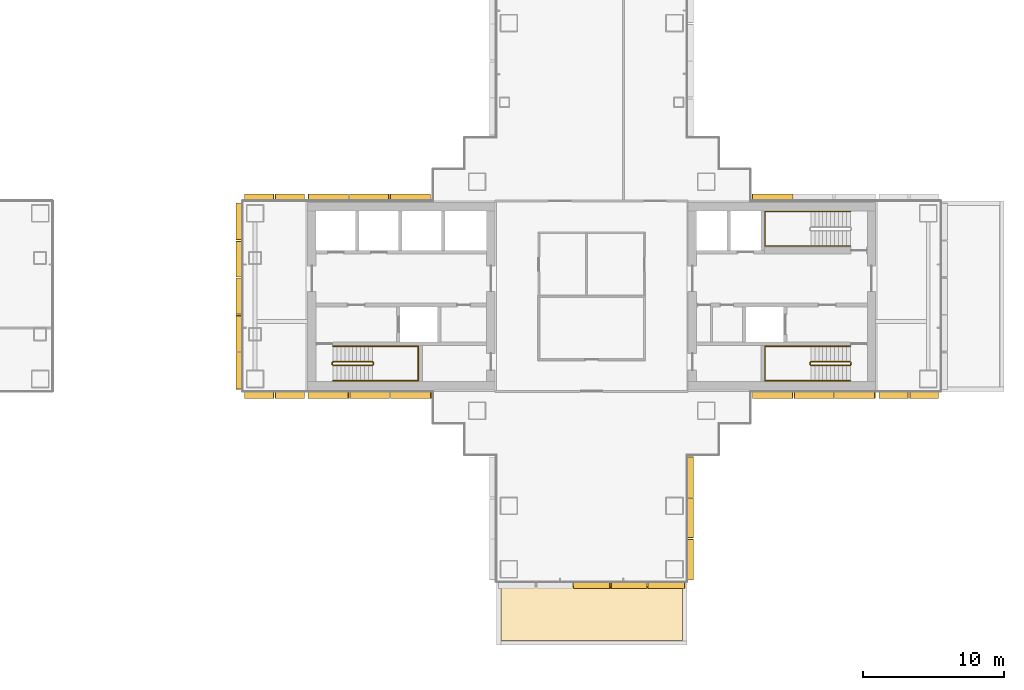
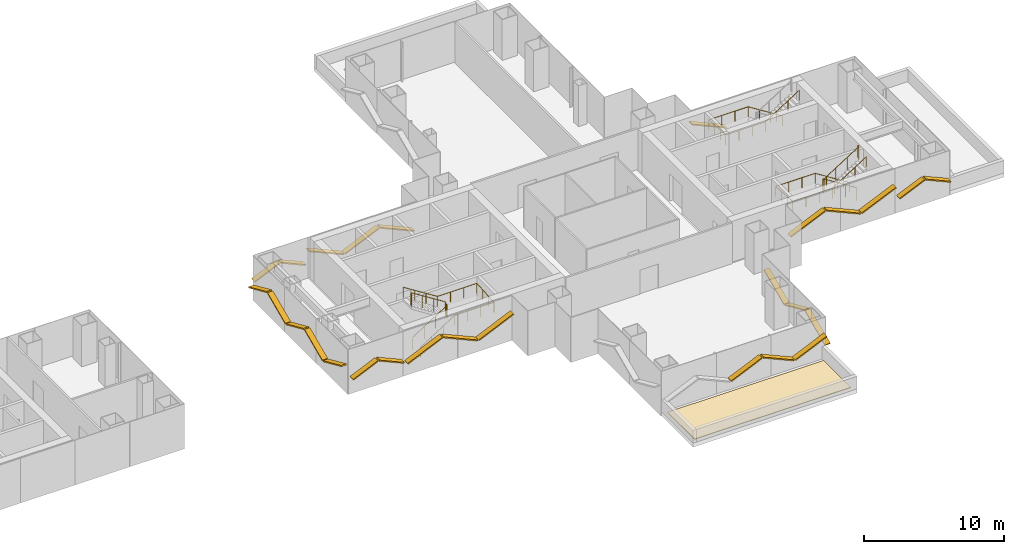
# One storey, part 18 of 20: 27 shading devices, 5 railings, 1 covering.
"""IFC4 building model written with IfcOpenShell, lengths in metres."""

import ifcopenshell
import ifcopenshell.guid

model = None  # the IFC model being written
_history = None  # IfcOwnerHistory: only IFC2X3 demands one
_inside = {}  # id of a spatial element -> (the spatial element, [elements in it])
_under = {}  # id of a project, library or spatial element -> (it, [spatial elements below it])
_declared = {}  # id of a project -> (the project, [libraries it declares])
_typed = {}  # id of a type object -> (the type object, [elements of that type])
_made_of = {}  # id of a material, layer set ... -> (it, [elements and type objects made of it])


def new_model(schema):
    """Start an empty IFC model of exactly this schema.

    Asked for "IFC4X3", IfcOpenShell would pick the latest addendum, in which some entities
    have other attributes; the version numbers below select the first issue.
    IFC2X3 requires an IfcOwnerHistory on every rooted entity: one is made here for all.
    """
    global model, _history
    if schema == "IFC4X3":
        model = ifcopenshell.file(schema_version=(4, 3, 0, 0))
    else:
        model = ifcopenshell.file(schema=schema)
    _inside.clear()
    _under.clear()
    _declared.clear()
    _typed.clear()
    _made_of.clear()
    _history = None
    if model.schema == "IFC2X3":
        org = make("IfcOrganization", Name="unknown")
        user = make(
            "IfcPersonAndOrganization",
            ThePerson=make("IfcPerson", FamilyName="unknown"),
            TheOrganization=org,
        )
        app = make(
            "IfcApplication",
            ApplicationDeveloper=org,
            Version="unknown",
            ApplicationFullName="unknown",
            ApplicationIdentifier="unknown",
        )
        _history = make(
            "IfcOwnerHistory",
            OwningUser=user,
            OwningApplication=app,
            ChangeAction="ADDED",
            CreationDate=0,
        )
    return model


def make(cls, **values):
    """One entity of the class cls with the attributes given. An attribute that is None is left unset."""
    return model.create_entity(
        cls, **{name: value for name, value in values.items() if value is not None}
    )


def rooted(cls, **values):
    """An entity with a GlobalId (a new one), such as an element, a storey or a relation."""
    return make(cls, GlobalId=ifcopenshell.guid.new(), OwnerHistory=_history, **values)


def si_unit(unit_type, name, prefix=None):
    """IfcSIUnit, for example si_unit("LENGTHUNIT", "METRE", prefix="MILLI")."""
    return make("IfcSIUnit", UnitType=unit_type, Prefix=prefix, Name=name)


def assignment(units):
    """IfcUnitAssignment: the units of a project."""
    return None if units is None else make("IfcUnitAssignment", Units=units)


def point(xyz):
    """IfcCartesianPoint."""
    return None if xyz is None else make("IfcCartesianPoint", Coordinates=xyz)


def direction(xyz):
    """IfcDirection."""
    return None if xyz is None else make("IfcDirection", DirectionRatios=xyz)


def frame(location, z_axis=None, x_axis=None):
    """IfcAxis2Placement3D, a coordinate frame: its origin and axes. An axis left out is left unset."""
    return make(
        "IfcAxis2Placement3D",
        Location=point(location),
        Axis=direction(z_axis),
        RefDirection=direction(x_axis),
    )


def frame_2d(location, x_axis=None):
    """IfcAxis2Placement2D, a coordinate frame in the plane: its origin and x axis."""
    return make(
        "IfcAxis2Placement2D", Location=point(location), RefDirection=direction(x_axis)
    )


def origin():
    """The frame at (0, 0, 0) with its axes left unset."""
    return frame((0.0, 0.0, 0.0))


def origin_2d():
    """The frame at (0, 0) in the plane with its x axis left unset."""
    return frame_2d((0.0, 0.0))


def place(relative_to, where):
    """IfcLocalPlacement: puts the frame where relative to a parent placement (None: the world)."""
    return make(
        "IfcLocalPlacement", PlacementRelTo=relative_to, RelativePlacement=where
    )


def context(
    kind, dimensions, precision=None, world=None, true_north=None, identifier=None
):
    """IfcGeometricRepresentationContext, for example the 3D "Model" context."""
    return make(
        "IfcGeometricRepresentationContext",
        ContextIdentifier=identifier,
        ContextType=kind,
        CoordinateSpaceDimension=dimensions,
        Precision=precision,
        WorldCoordinateSystem=world,
        TrueNorth=true_north,
    )


def subcontext(parent, identifier, kind, view, scale=None):
    """IfcGeometricRepresentationSubContext, for example "Body" below "Model"."""
    return make(
        "IfcGeometricRepresentationSubContext",
        ContextIdentifier=identifier,
        ContextType=kind,
        ParentContext=parent,
        TargetScale=scale,
        TargetView=view,
    )


def project(units=None, contexts=None):
    """IfcProject with its units and contexts."""
    return rooted(
        "IfcProject",
        Name="project",
        RepresentationContexts=contexts,
        UnitsInContext=assignment(units),
    )


def spatial(cls, under=None, at=None, **own):
    """A site, building, storey or space (cls), placed at a placement, below another one or the project."""
    s = rooted(cls, ObjectPlacement=at, **own)
    if under is not None:
        _under.setdefault(under.id(), (under, []))[1].append(s)
    return s


def polyline(points):
    """IfcPolyline through the points."""
    return make("IfcPolyline", Points=[point(p) for p in points])


def profile(cls, at=None, kind="AREA", **sizes):
    """A parametric profile (cls). Its sizes go by their IFC names, for example OverallWidth=200.0."""
    return make(cls, ProfileType=kind, Position=at, **sizes)


def rectangle(**sizes):
    """IfcRectangleProfileDef."""
    return profile("IfcRectangleProfileDef", **sizes)


def circle(**sizes):
    """IfcCircleProfileDef."""
    return profile("IfcCircleProfileDef", **sizes)


def outline(outer, holes=None, kind="AREA"):
    """IfcArbitraryClosedProfileDef: a profile drawn as a closed curve; with holes, ...WithVoids."""
    if holes is None:
        return make("IfcArbitraryClosedProfileDef", ProfileType=kind, OuterCurve=outer)
    return make(
        "IfcArbitraryProfileDefWithVoids",
        ProfileType=kind,
        OuterCurve=outer,
        InnerCurves=holes,
    )


def extrude(swept, where, along, depth):
    """IfcExtrudedAreaSolid: the profile swept, set in the frame where, extruded along a direction by depth."""
    return make(
        "IfcExtrudedAreaSolid",
        SweptArea=swept,
        Position=where,
        ExtrudedDirection=direction(along),
        Depth=depth,
    )


def shape(context_of_items, identifier, shape_type, items):
    """IfcShapeRepresentation: the items that make up one representation, for example the "Body"."""
    return make(
        "IfcShapeRepresentation",
        ContextOfItems=context_of_items,
        RepresentationIdentifier=identifier,
        RepresentationType=shape_type,
        Items=items,
    )


def material(Name=None, Category=None):
    """IfcMaterial."""
    return make("IfcMaterial", Name=Name, Category=Category)


def layer(
    of_material, thickness, ventilated=None, Name=None, Category=None, Priority=None
):
    """IfcMaterialLayer: one layer of a wall or slab, of a material (None: an air gap)."""
    return make(
        "IfcMaterialLayer",
        Material=of_material,
        LayerThickness=thickness,
        IsVentilated=ventilated,
        Name=Name,
        Category=Category,
        Priority=Priority,
    )


def layer_set(layers, Name=None):
    """IfcMaterialLayerSet."""
    return make("IfcMaterialLayerSet", MaterialLayers=layers, LayerSetName=Name)


def material_profile(
    of_material, cross_section, Name=None, Category=None, Priority=None
):
    """IfcMaterialProfile: a cross section and its material."""
    return make(
        "IfcMaterialProfile",
        Name=Name,
        Material=of_material,
        Profile=cross_section,
        Priority=Priority,
        Category=Category,
    )


def profile_set(profiles, Name=None, composite=None):
    """IfcMaterialProfileSet."""
    return make(
        "IfcMaterialProfileSet",
        Name=Name,
        MaterialProfiles=profiles,
        CompositeProfile=composite,
    )


def made_of(thing, what):
    """Note that an element or type object is made of a material, layer set ...; save() writes the relation."""
    if what is not None:
        _made_of.setdefault(what.id(), (what, []))[1].append(thing)
    return thing


def type_object(cls, material=None, **own):
    """A type object (cls), such as IfcWallType, which elements share."""
    return made_of(rooted(cls, **own), material)


def element(
    cls,
    number,
    at=None,
    inside=None,
    cuts=None,
    type_object=None,
    material=None,
    context=None,
    identifier="Body",
    shape_type=None,
    held_by="IfcProductDefinitionShape",
    body=None,
    shapes=None,
    **own,
):
    """One element of the class cls, such as IfcWall. Its Tag is "e" and its number.

    at: its placement. inside: the storey or other place that contains it. cuts: it is an
    opening in that element (IfcRelVoidsElement). A single representation is given by context,
    identifier, shape_type and body (its items); several are given by shapes. held_by: the class
    of the entity that holds the representations. save() writes the other relations.
    """
    e = rooted(cls, Tag="e%d" % number, ObjectPlacement=at, **own)
    if body is not None:
        shapes = [shape(context, identifier, shape_type, body)]
    if shapes is not None:
        e.Representation = make(held_by, Representations=shapes)
    if inside is not None:
        _inside.setdefault(inside.id(), (inside, []))[1].append(e)
    if cuts is not None:
        rooted(
            "IfcRelVoidsElement", RelatingBuildingElement=cuts, RelatedOpeningElement=e
        )
    if type_object is not None:
        _typed.setdefault(type_object.id(), (type_object, []))[1].append(e)
    return made_of(e, material)


def aggregate(whole, parts):
    """IfcRelAggregates: a whole, such as a stair, and the parts it consists of."""
    return rooted("IfcRelAggregates", RelatingObject=whole, RelatedObjects=parts)


def save(model, path):
    """Write the relations noted so far, then the file.

    IfcRelAggregates (storeys below a building ...), IfcRelContainedInSpatialStructure (elements
    in a storey), IfcRelDefinesByType, IfcRelAssociatesMaterial and IfcRelDeclares: one each for
    every whole, place, type object, material and project.
    """
    for whole, parts in _under.values():
        aggregate(whole, parts)
    for where, things in _inside.values():
        rooted(
            "IfcRelContainedInSpatialStructure",
            RelatedElements=things,
            RelatingStructure=where,
        )
    for kind, things in _typed.values():
        rooted("IfcRelDefinesByType", RelatedObjects=things, RelatingType=kind)
    for what, things in _made_of.values():
        rooted("IfcRelAssociatesMaterial", RelatedObjects=things, RelatingMaterial=what)
    for by, libraries in _declared.values():
        rooted("IfcRelDeclares", RelatingContext=by, RelatedDefinitions=libraries)
    model.write(path)


model = new_model("IFC4")

# Units and contexts
model_context = context("Model", 3, precision=1e-05, world=origin(), true_north=direction((0.0, 1.0)))
body_context = subcontext(model_context, "Body", "Model", "MODEL_VIEW")
ifc_project = project(units=[si_unit("LENGTHUNIT", "METRE"), si_unit("AREAUNIT", "SQUARE_METRE"), si_unit("VOLUMEUNIT", "CUBIC_METRE"), si_unit("PLANEANGLEUNIT", "RADIAN"), si_unit("MASSUNIT", "GRAM", prefix="KILO")], contexts=[model_context])

# Site, building, storey
site_placement = place(None, origin())
site = spatial("IfcSite", under=ifc_project, at=site_placement, CompositionType="ELEMENT")
building_placement = place(site_placement, origin())
building = spatial("IfcBuilding", under=site, at=building_placement, Name="Shamsa Quay Exchange Towers", CompositionType="ELEMENT")
storey_placement = place(building_placement, frame((0.0, 0.0, 81.89990234375)))
storey = spatial("IfcBuildingStorey", under=building, at=storey_placement, Name="L18", CompositionType="ELEMENT", Elevation=81.89990234375)

# Shading devices
ifc_material_1 = material(Name="Aluminium EN AW-6063 T6, black anodised", Category="aluminium")
ifc_material_profile = material_profile(ifc_material_1, rectangle(XDim=0.449951171875, YDim=0.10009765625, at=origin_2d()), Name="FIN450x100")
ifc_profile_set = profile_set([ifc_material_profile], Name="Aluminium EN AW-6063 T6, black anodised")
shading_device_type = type_object("IfcShadingDeviceType", Name="FIN 450x100 BLACK ALUMINIUM", PredefinedType="USERDEFINED", material=ifc_profile_set)
shading_device_1_placement = place(storey_placement, frame((45.18798828125, -7.01904296875, 0.968505859375), z_axis=(0.913558535862, 0.0, 0.406707267643), x_axis=(0.0, 1.0, 0.0)))
element("IfcShadingDevice", 1, at=shading_device_1_placement, inside=storey, type_object=shading_device_type, Name="FIN T2 chevron rib", ObjectType="FIN", PredefinedType="USERDEFINED", context=body_context, shape_type="SweptSolid", body=[
    extrude(rectangle(XDim=0.449951171875, YDim=0.10009765625, at=origin_2d()), origin(), (0.0, 0.0, 1.0), 3.10595703125),
])
shading_device_2_placement = place(storey_placement, frame((48.125244140625, -7.01904296875, 2.220703125), z_axis=(0.913520954647, 0.0, -0.406791673244), x_axis=(0.0, 1.0, 0.0)))
element("IfcShadingDevice", 2, at=shading_device_2_placement, inside=storey, type_object=shading_device_type, Name="FIN T2 chevron rib", ObjectType="FIN", PredefinedType="USERDEFINED", context=body_context, shape_type="SweptSolid", body=[
    extrude(rectangle(XDim=0.449951171875, YDim=0.10009765625, at=origin_2d()), origin(), (0.0, 0.0, 1.0), 3.05126953125),
])
shading_device_3_placement = place(storey_placement, frame((51.0126953125, -7.01904296875, 0.968505859375), z_axis=(0.913558535862, 0.0, 0.406707267643), x_axis=(0.0, 1.0, 0.0)))
element("IfcShadingDevice", 3, at=shading_device_3_placement, inside=storey, type_object=shading_device_type, Name="FIN T2 chevron rib", ObjectType="FIN", PredefinedType="USERDEFINED", context=body_context, shape_type="SweptSolid", body=[
    extrude(rectangle(XDim=0.449951171875, YDim=0.10009765625, at=origin_2d()), origin(), (0.0, 0.0, 1.0), 3.10595703125),
])
for number, where, z_axis, x_axis, name in (
    (4, (54.14990234375, -7.014892578125, 1.143798828125), (0.913569116241, 0.0, 0.406683500835), (0.0, 1.0, 0.0), "FIN T2 chevron rib"),
    (5, (56.300048828125, -7.014892578125, 2.056396484375), (0.913569116241, 0.0, -0.406683500835), (0.0, 1.0, 0.0), "FIN T2 chevron rib"),
):
    element("IfcShadingDevice", number, at=place(storey_placement, frame(where, z_axis=z_axis, x_axis=x_axis)), inside=storey, type_object=shading_device_type, Name=name, ObjectType="FIN", PredefinedType="USERDEFINED", context=body_context, shape_type="SweptSolid", body=[
        extrude(rectangle(XDim=0.449951171875, YDim=0.10009765625, at=origin_2d()), origin(), (0.0, 0.0, 1.0), 2.243896484375),
    ])
shading_device_4_placement = place(storey_placement, frame((48.0, 7.01904296875, 0.965576171875), z_axis=(-0.913533816972, 0.0, 0.406762787444), x_axis=(0.0, -1.0, 0.0)))
element("IfcShadingDevice", 6, at=shading_device_4_placement, inside=storey, type_object=shading_device_type, Name="FIN T2 chevron rib", ObjectType="FIN", PredefinedType="USERDEFINED", context=body_context, shape_type="SweptSolid", body=[
    extrude(rectangle(XDim=0.449951171875, YDim=0.10009765625, at=origin_2d()), origin(), (0.0, 0.0, 1.0), 3.119873046875),
])
shading_device_5_placement = place(storey_placement, frame((22.31201171875, 7.01904296875, 0.968505859375), z_axis=(-0.913558535862, 0.0, 0.406707267643), x_axis=(0.0, -1.0, 0.0)))
element("IfcShadingDevice", 7, at=shading_device_5_placement, inside=storey, type_object=shading_device_type, Name="FIN T2 chevron rib", ObjectType="FIN", PredefinedType="USERDEFINED", context=body_context, shape_type="SweptSolid", body=[
    extrude(rectangle(XDim=0.449951171875, YDim=0.10009765625, at=origin_2d()), origin(), (0.0, 0.0, 1.0), 3.10595703125),
])
shading_device_6_placement = place(storey_placement, frame((19.374755859375, 7.01904296875, 2.220703125), z_axis=(-0.913520954647, 0.0, -0.406791673244), x_axis=(0.0, -1.0, 0.0)))
element("IfcShadingDevice", 8, at=shading_device_6_placement, inside=storey, type_object=shading_device_type, Name="FIN T2 chevron rib", ObjectType="FIN", PredefinedType="USERDEFINED", context=body_context, shape_type="SweptSolid", body=[
    extrude(rectangle(XDim=0.449951171875, YDim=0.10009765625, at=origin_2d()), origin(), (0.0, 0.0, 1.0), 3.05126953125),
])
shading_device_7_placement = place(storey_placement, frame((16.4873046875, 7.01904296875, 0.968505859375), z_axis=(-0.913558535862, 0.0, 0.406707267643), x_axis=(0.0, -1.0, 0.0)))
element("IfcShadingDevice", 9, at=shading_device_7_placement, inside=storey, type_object=shading_device_type, Name="FIN T2 chevron rib", ObjectType="FIN", PredefinedType="USERDEFINED", context=body_context, shape_type="SweptSolid", body=[
    extrude(rectangle(XDim=0.449951171875, YDim=0.10009765625, at=origin_2d()), origin(), (0.0, 0.0, 1.0), 3.10595703125),
])
for number, where, z_axis, x_axis, name in (
    (10, (13.35009765625, 7.014892578125, 1.143798828125), (-0.913569116241, 0.0, 0.406683500835), (0.0, -1.0, 0.0), "FIN T2 chevron rib"),
    (11, (11.199951171875, 7.014892578125, 2.056396484375), (-0.913569116241, 0.0, -0.406683500835), (0.0, -1.0, 0.0), "FIN T2 chevron rib"),
):
    element("IfcShadingDevice", number, at=place(storey_placement, frame(where, z_axis=z_axis, x_axis=x_axis)), inside=storey, type_object=shading_device_type, Name=name, ObjectType="FIN", PredefinedType="USERDEFINED", context=body_context, shape_type="SweptSolid", body=[
        extrude(rectangle(XDim=0.449951171875, YDim=0.10009765625, at=origin_2d()), origin(), (0.0, 0.0, 1.0), 2.243896484375),
    ])
shading_device_8_placement = place(storey_placement, frame((8.735107421875, 6.60009765625, 1.0234375), z_axis=(0.0, -0.913527255138, 0.406777524109), x_axis=(1.0, 0.0, 0.0)))
element("IfcShadingDevice", 12, at=shading_device_8_placement, inside=storey, type_object=shading_device_type, Name="FIN T2 chevron rib", ObjectType="FIN", PredefinedType="USERDEFINED", context=body_context, shape_type="SweptSolid", body=[
    extrude(rectangle(XDim=0.449951171875, YDim=0.10009765625, at=origin_2d()), origin(), (0.0, 0.0, 1.0), 2.835205078125),
])
shading_device_9_placement = place(storey_placement, frame((8.735107421875, 3.909912109375, 2.16552734375), z_axis=(0.0, -0.913536125794, -0.406757602103), x_axis=(1.0, 0.0, 0.0)))
element("IfcShadingDevice", 13, at=shading_device_9_placement, inside=storey, type_object=shading_device_type, Name="FIN T2 chevron rib", ObjectType="FIN", PredefinedType="USERDEFINED", context=body_context, shape_type="SweptSolid", body=[
    extrude(rectangle(XDim=0.449951171875, YDim=0.10009765625, at=origin_2d()), origin(), (0.0, 0.0, 1.0), 2.7802734375),
])
shading_device_10_placement = place(storey_placement, frame((8.735107421875, 1.27001953125, 1.03466796875), z_axis=(0.0, -0.913550653139, 0.4067249736), x_axis=(1.0, 0.0, 0.0)))
element("IfcShadingDevice", 14, at=shading_device_10_placement, inside=storey, type_object=shading_device_type, Name="FIN T2 chevron rib", ObjectType="FIN", PredefinedType="USERDEFINED", context=body_context, shape_type="SweptSolid", body=[
    extrude(rectangle(XDim=0.449951171875, YDim=0.10009765625, at=origin_2d()), origin(), (0.0, 0.0, 1.0), 2.780517578125),
])
shading_device_11_placement = place(storey_placement, frame((8.735107421875, -1.3701171875, 2.16552734375), z_axis=(0.0, -0.913536125794, -0.406757602103), x_axis=(1.0, 0.0, 0.0)))
element("IfcShadingDevice", 15, at=shading_device_11_placement, inside=storey, type_object=shading_device_type, Name="FIN T2 chevron rib", ObjectType="FIN", PredefinedType="USERDEFINED", context=body_context, shape_type="SweptSolid", body=[
    extrude(rectangle(XDim=0.449951171875, YDim=0.10009765625, at=origin_2d()), origin(), (0.0, 0.0, 1.0), 2.7802734375),
])
shading_device_12_placement = place(storey_placement, frame((8.735107421875, -4.010009765625, 1.0234375), z_axis=(0.0, -0.913527255138, 0.406777524109), x_axis=(1.0, 0.0, 0.0)))
element("IfcShadingDevice", 16, at=shading_device_12_placement, inside=storey, type_object=shading_device_type, Name="FIN T2 chevron rib", ObjectType="FIN", PredefinedType="USERDEFINED", context=body_context, shape_type="SweptSolid", body=[
    extrude(rectangle(XDim=0.449951171875, YDim=0.10009765625, at=origin_2d()), origin(), (0.0, 0.0, 1.0), 2.835205078125),
])
for number, where, z_axis, x_axis, name in (
    (17, (9.14990234375, -7.014892578125, 1.143798828125), (0.913569116241, 0.0, 0.406683500835), (0.0, 1.0, 0.0), "FIN T2 chevron rib"),
    (18, (11.300048828125, -7.014892578125, 2.056396484375), (0.913569116241, 0.0, -0.406683500835), (0.0, 1.0, 0.0), "FIN T2 chevron rib"),
):
    element("IfcShadingDevice", number, at=place(storey_placement, frame(where, z_axis=z_axis, x_axis=x_axis)), inside=storey, type_object=shading_device_type, Name=name, ObjectType="FIN", PredefinedType="USERDEFINED", context=body_context, shape_type="SweptSolid", body=[
        extrude(rectangle(XDim=0.449951171875, YDim=0.10009765625, at=origin_2d()), origin(), (0.0, 0.0, 1.0), 2.243896484375),
    ])
shading_device_13_placement = place(storey_placement, frame((13.64990234375, -7.01904296875, 0.965576171875), z_axis=(0.913533816972, 0.0, 0.406762787444), x_axis=(0.0, 1.0, 0.0)))
element("IfcShadingDevice", 19, at=shading_device_13_placement, inside=storey, type_object=shading_device_type, Name="FIN T2 chevron rib", ObjectType="FIN", PredefinedType="USERDEFINED", context=body_context, shape_type="SweptSolid", body=[
    extrude(rectangle(XDim=0.449951171875, YDim=0.10009765625, at=origin_2d()), origin(), (0.0, 0.0, 1.0), 3.119873046875),
])
shading_device_14_placement = place(storey_placement, frame((16.60009765625, -7.01904296875, 2.223388671875), z_axis=(0.913541981537, 0.0, -0.406744450447), x_axis=(0.0, 1.0, 0.0)))
element("IfcShadingDevice", 20, at=shading_device_14_placement, inside=storey, type_object=shading_device_type, Name="FIN T2 chevron rib", ObjectType="FIN", PredefinedType="USERDEFINED", context=body_context, shape_type="SweptSolid", body=[
    extrude(rectangle(XDim=0.449951171875, YDim=0.10009765625, at=origin_2d()), origin(), (0.0, 0.0, 1.0), 3.064697265625),
])
shading_device_15_placement = place(storey_placement, frame((19.5, -7.01904296875, 0.965576171875), z_axis=(0.913533816972, 0.0, 0.406762787444), x_axis=(0.0, 1.0, 0.0)))
element("IfcShadingDevice", 21, at=shading_device_15_placement, inside=storey, type_object=shading_device_type, Name="FIN T2 chevron rib", ObjectType="FIN", PredefinedType="USERDEFINED", context=body_context, shape_type="SweptSolid", body=[
    extrude(rectangle(XDim=0.449951171875, YDim=0.10009765625, at=origin_2d()), origin(), (0.0, 0.0, 1.0), 3.119873046875),
])
shading_device_16_placement = place(storey_placement, frame((32.47998046875, -20.514892578125, 1.03466796875), z_axis=(0.913550653139, 0.0, 0.4067249736), x_axis=(0.0, 1.0, 0.0)))
element("IfcShadingDevice", 22, at=shading_device_16_placement, inside=storey, type_object=shading_device_type, Name="FIN T2 chevron rib", ObjectType="FIN", PredefinedType="USERDEFINED", context=body_context, shape_type="SweptSolid", body=[
    extrude(rectangle(XDim=0.449951171875, YDim=0.10009765625, at=origin_2d()), origin(), (0.0, 0.0, 1.0), 2.780517578125),
])
shading_device_17_placement = place(storey_placement, frame((35.1201171875, -20.514892578125, 2.16552734375), z_axis=(0.913536125794, 0.0, -0.406757602103), x_axis=(0.0, 1.0, 0.0)))
element("IfcShadingDevice", 23, at=shading_device_17_placement, inside=storey, type_object=shading_device_type, Name="FIN T2 chevron rib", ObjectType="FIN", PredefinedType="USERDEFINED", context=body_context, shape_type="SweptSolid", body=[
    extrude(rectangle(XDim=0.449951171875, YDim=0.10009765625, at=origin_2d()), origin(), (0.0, 0.0, 1.0), 2.7802734375),
])
shading_device_18_placement = place(storey_placement, frame((37.760009765625, -20.514892578125, 1.0234375), z_axis=(0.913527255138, 0.0, 0.406777524109), x_axis=(0.0, 1.0, 0.0)))
element("IfcShadingDevice", 24, at=shading_device_18_placement, inside=storey, type_object=shading_device_type, Name="FIN T2 chevron rib", ObjectType="FIN", PredefinedType="USERDEFINED", context=body_context, shape_type="SweptSolid", body=[
    extrude(rectangle(XDim=0.449951171875, YDim=0.10009765625, at=origin_2d()), origin(), (0.0, 0.0, 1.0), 2.835205078125),
])
shading_device_19_placement = place(storey_placement, frame((40.764892578125, -20.10009765625, 0.965576171875), z_axis=(0.0, 0.913533816972, 0.406762787444), x_axis=(-1.0, 0.0, 0.0)))
element("IfcShadingDevice", 25, at=shading_device_19_placement, inside=storey, type_object=shading_device_type, Name="FIN T2 chevron rib", ObjectType="FIN", PredefinedType="USERDEFINED", context=body_context, shape_type="SweptSolid", body=[
    extrude(rectangle(XDim=0.449951171875, YDim=0.10009765625, at=origin_2d()), origin(), (0.0, 0.0, 1.0), 3.119873046875),
])
shading_device_20_placement = place(storey_placement, frame((40.764892578125, -17.14990234375, 2.223388671875), z_axis=(0.0, 0.913541981537, -0.406744450447), x_axis=(-1.0, 0.0, 0.0)))
element("IfcShadingDevice", 26, at=shading_device_20_placement, inside=storey, type_object=shading_device_type, Name="FIN T2 chevron rib", ObjectType="FIN", PredefinedType="USERDEFINED", context=body_context, shape_type="SweptSolid", body=[
    extrude(rectangle(XDim=0.449951171875, YDim=0.10009765625, at=origin_2d()), origin(), (0.0, 0.0, 1.0), 3.064697265625),
])
shading_device_21_placement = place(storey_placement, frame((40.764892578125, -14.25, 0.965576171875), z_axis=(0.0, 0.913533816972, 0.406762787444), x_axis=(-1.0, 0.0, 0.0)))
element("IfcShadingDevice", 27, at=shading_device_21_placement, inside=storey, type_object=shading_device_type, Name="FIN T2 chevron rib", ObjectType="FIN", PredefinedType="USERDEFINED", context=body_context, shape_type="SweptSolid", body=[
    extrude(rectangle(XDim=0.449951171875, YDim=0.10009765625, at=origin_2d()), origin(), (0.0, 0.0, 1.0), 3.119873046875),
])

# Covering
ifc_material_2 = material(Name="Bituminous waterproofing membrane with ballast")
ifc_layer = layer(ifc_material_2, 0.06005859375)
ifc_layer_set = layer_set([ifc_layer], Name="ROOF MEMBRANE 60")
covering_type = type_object("IfcCoveringType", Name="ROOF MEMBRANE 60", PredefinedType="ROOFING", material=ifc_layer_set)
covering_placement = place(storey_placement, origin())
element("IfcCovering", 28, at=covering_placement, inside=storey, type_object=covering_type, Name="Roof membrane 4.1", PredefinedType="ROOFING", context=body_context, shape_type="SweptSolid", body=[
    extrude(outline(polyline([(40.179931640625, -20.570068359375), (40.179931640625, -24.429931640625), (27.320068359375, -24.429931640625), (27.320068359375, -20.570068359375), (40.179931640625, -20.570068359375)])), origin(), (0.0, 0.0, 1.0), 0.06005859375),
])

# Railings
ifc_material_3 = material(Name="Stainless steel", Category="steel")
railing_type_1 = type_object("IfcRailingType", Name="STAIR GUARD 1100", PredefinedType="GUARDRAIL", material=ifc_material_3)
railing_1_placement = place(storey_placement, frame((15.39990234375, -4.89990234375, 0.177490234375)))
element("IfcRailing", 29, at=railing_1_placement, inside=storey, type_object=railing_type_1, Name="L18 ST4 stair guard 1", PredefinedType="GUARDRAIL", context=body_context, shape_type="SweptSolid", body=[
    extrude(circle(Radius=0.02392578125, at=origin_2d()), frame((0.0, 0.0, 1.076171875), z_axis=(0.844908973607, 0.0, 0.534910110503), x_axis=(0.0, 1.0, 0.0)), (0.0, 0.0, 1.0), 3.31396484375),
    extrude(circle(Radius=0.02392578125, at=origin_2d()), frame((2.800048828125, 0.0, 2.8486328125), z_axis=(0.708833529934, 0.705375805398, 0.0), x_axis=(-0.705375805398, 0.708833529934, 0.0)), (0.0, 0.0, 1.0), 0.070556640625),
    extrude(circle(Radius=0.02392578125, at=origin_2d()), frame((2.85009765625, 0.0498046875, 2.8486328125), z_axis=(0.0, 1.0, 0.0), x_axis=(-1.0, 0.0, 0.0)), (0.0, 0.0, 1.0), 0.150146484375),
    extrude(circle(Radius=0.02392578125, at=origin_2d()), frame((2.85009765625, 0.199951171875, 2.8486328125), z_axis=(-0.262233686654, 0.262233686654, 0.928691007369), x_axis=(-0.707106781187, -0.707106781187, 0.0)), (0.0, 0.0, 1.0), 0.19091796875),
    extrude(circle(Radius=0.02392578125, at=origin_2d()), frame((2.800048828125, 0.25, 3.02587890625), z_axis=(-0.844908973607, 0.0, 0.534910110503), x_axis=(0.0, -1.0, 0.0)), (0.0, 0.0, 1.0), 3.31396484375),
    extrude(circle(Radius=0.02392578125, at=origin_2d()), frame((0.0, 0.25, 4.798828125), z_axis=(-0.24142163986, -0.970420317083, 0.0), x_axis=(0.970420317083, -0.24142163986, 0.0)), (0.0, 0.0, 1.0), 0.206298828125),
    extrude(circle(Radius=0.02392578125, at=origin_2d()), frame((-0.0498046875, 0.0498046875, 4.798828125), z_axis=(0.0, 1.0, 0.0), x_axis=(-1.0, 0.0, 0.0)), (0.0, 0.0, 1.0), 0.150146484375),
    extrude(circle(Radius=0.02099609375, at=origin_2d()), origin(), (0.0, 0.0, 1.0), 1.052001953125),
    extrude(circle(Radius=0.02099609375, at=origin_2d()), frame((0.933349609375, 0.0, 0.5908203125)), (0.0, 0.0, 1.0), 1.052001953125),
    extrude(circle(Radius=0.02099609375, at=origin_2d()), frame((1.86669921875, 0.0, 1.181884765625)), (0.0, 0.0, 1.0), 1.052001953125),
    extrude(circle(Radius=0.02099609375, at=origin_2d()), frame((2.800048828125, 0.0, 1.772705078125)), (0.0, 0.0, 1.0), 1.052001953125),
    extrude(circle(Radius=0.02099609375, at=origin_2d()), frame((2.85009765625, 0.0498046875, 1.772705078125)), (0.0, 0.0, 1.0), 1.052001953125),
    extrude(circle(Radius=0.02099609375, at=origin_2d()), frame((2.85009765625, 0.199951171875, 1.772705078125)), (0.0, 0.0, 1.0), 1.052001953125),
    extrude(circle(Radius=0.02099609375, at=origin_2d()), frame((2.800048828125, 0.25, 1.949951171875)), (0.0, 0.0, 1.0), 1.052001953125),
    extrude(circle(Radius=0.02099609375, at=origin_2d()), frame((1.86669921875, 0.25, 2.540771484375)), (0.0, 0.0, 1.0), 1.052001953125),
    extrude(circle(Radius=0.02099609375, at=origin_2d()), frame((0.933349609375, 0.25, 3.1318359375)), (0.0, 0.0, 1.0), 1.052001953125),
    extrude(circle(Radius=0.02099609375, at=origin_2d()), frame((0.0, 0.25, 3.72265625)), (0.0, 0.0, 1.0), 1.052001953125),
    extrude(circle(Radius=0.02099609375, at=origin_2d()), frame((-0.0498046875, 0.0498046875, 3.72265625)), (0.0, 0.0, 1.0), 1.052001953125),
    extrude(circle(Radius=0.02099609375, at=origin_2d()), frame((-0.0498046875, 0.199951171875, 3.72265625)), (0.0, 0.0, 1.0), 1.052001953125),
])
railing_2_placement = place(storey_placement, frame((52.10009765625, -4.64990234375, 0.177490234375)))
element("IfcRailing", 30, at=railing_2_placement, inside=storey, type_object=railing_type_1, Name="L18 ST5 stair guard 1", PredefinedType="GUARDRAIL", context=body_context, shape_type="SweptSolid", body=[
    extrude(circle(Radius=0.02392578125, at=origin_2d()), frame((0.0, 0.0, 1.076171875), z_axis=(-0.844908973607, 0.0, 0.534910110503), x_axis=(0.0, -1.0, 0.0)), (0.0, 0.0, 1.0), 3.31396484375),
    extrude(circle(Radius=0.02392578125, at=origin_2d()), frame((-2.800048828125, 0.0, 2.8486328125), z_axis=(-0.707106781187, -0.707106781187, 0.0), x_axis=(0.707106781187, -0.707106781187, 0.0)), (0.0, 0.0, 1.0), 0.07080078125),
    extrude(circle(Radius=0.02392578125, at=origin_2d()), frame((-2.85009765625, -0.050048828125, 2.8486328125), z_axis=(0.0, -1.0, 0.0), x_axis=(1.0, 0.0, 0.0)), (0.0, 0.0, 1.0), 0.150146484375),
    extrude(circle(Radius=0.02392578125, at=origin_2d()), frame((-2.85009765625, -0.2001953125, 2.8486328125), z_axis=(0.262321481514, -0.261041864531, 0.929001929653), x_axis=(0.705375805398, 0.708833529934, 0.0)), (0.0, 0.0, 1.0), 0.190673828125),
    extrude(circle(Radius=0.02392578125, at=origin_2d()), frame((-2.800048828125, -0.25, 3.02587890625), z_axis=(0.844908973607, 0.0, 0.534910110503), x_axis=(0.0, 1.0, 0.0)), (0.0, 0.0, 1.0), 3.31396484375),
    extrude(circle(Radius=0.02392578125, at=origin_2d()), frame((0.0, -0.25, 4.798828125), z_axis=(0.241699205484, 0.970351222016, 0.0), x_axis=(-0.970351222016, 0.241699205484, 0.0)), (0.0, 0.0, 1.0), 0.2060546875),
    extrude(circle(Radius=0.02392578125, at=origin_2d()), frame((0.0498046875, -0.050048828125, 4.798828125), z_axis=(0.0, -1.0, 0.0), x_axis=(1.0, 0.0, 0.0)), (0.0, 0.0, 1.0), 0.150146484375),
    extrude(circle(Radius=0.02099609375, at=origin_2d()), origin(), (0.0, 0.0, 1.0), 1.052001953125),
    extrude(circle(Radius=0.02099609375, at=origin_2d()), frame((-0.933349609375, 0.0, 0.5908203125)), (0.0, 0.0, 1.0), 1.052001953125),
    extrude(circle(Radius=0.02099609375, at=origin_2d()), frame((-1.86669921875, 0.0, 1.181884765625)), (0.0, 0.0, 1.0), 1.052001953125),
    extrude(circle(Radius=0.02099609375, at=origin_2d()), frame((-2.800048828125, 0.0, 1.772705078125)), (0.0, 0.0, 1.0), 1.052001953125),
    extrude(circle(Radius=0.02099609375, at=origin_2d()), frame((-2.85009765625, -0.050048828125, 1.772705078125)), (0.0, 0.0, 1.0), 1.052001953125),
    extrude(circle(Radius=0.02099609375, at=origin_2d()), frame((-2.85009765625, -0.2001953125, 1.772705078125)), (0.0, 0.0, 1.0), 1.052001953125),
    extrude(circle(Radius=0.02099609375, at=origin_2d()), frame((-2.800048828125, -0.25, 1.949951171875)), (0.0, 0.0, 1.0), 1.052001953125),
    extrude(circle(Radius=0.02099609375, at=origin_2d()), frame((-1.86669921875, -0.25, 2.540771484375)), (0.0, 0.0, 1.0), 1.052001953125),
    extrude(circle(Radius=0.02099609375, at=origin_2d()), frame((-0.933349609375, -0.25, 3.1318359375)), (0.0, 0.0, 1.0), 1.052001953125),
    extrude(circle(Radius=0.02099609375, at=origin_2d()), frame((0.0, -0.25, 3.72265625)), (0.0, 0.0, 1.0), 1.052001953125),
    extrude(circle(Radius=0.02099609375, at=origin_2d()), frame((0.0498046875, -0.050048828125, 3.72265625)), (0.0, 0.0, 1.0), 1.052001953125),
    extrude(circle(Radius=0.02099609375, at=origin_2d()), frame((0.0498046875, -0.2001953125, 3.72265625)), (0.0, 0.0, 1.0), 1.052001953125),
])
railing_type_2 = type_object("IfcRailingType", Name="STAIR HANDRAIL 900", PredefinedType="HANDRAIL", material=ifc_material_3)
railing_3_placement = place(storey_placement, frame((15.39990234375, -6.0, 0.177490234375)))
element("IfcRailing", 31, at=railing_3_placement, inside=storey, type_object=railing_type_2, Name="L18 ST4 stair handrail 1", PredefinedType="HANDRAIL", context=body_context, shape_type="SweptSolid", body=[
    extrude(circle(Radius=0.02392578125, at=origin_2d()), frame((0.0, 0.0, 0.8759765625), z_axis=(0.844908973607, 0.0, 0.534910110503), x_axis=(0.0, 1.0, 0.0)), (0.0, 0.0, 1.0), 3.31396484375),
    extrude(circle(Radius=0.02392578125, at=origin_2d()), frame((2.800048828125, 0.0, 2.6484375), z_axis=(1.0, 0.0, 0.0), x_axis=(0.0, 1.0, 0.0)), (0.0, 0.0, 1.0), 3.25),
    extrude(circle(Radius=0.02392578125, at=origin_2d()), frame((6.050048828125, 0.0, 2.6484375), z_axis=(0.0, 0.997393199914, 0.07215819264), x_axis=(-1.0, 0.0, 0.0)), (0.0, 0.0, 1.0), 2.456298828125),
    extrude(circle(Radius=0.02392578125, at=origin_2d()), frame((6.050048828125, 2.449951171875, 2.82568359375), z_axis=(-1.0, 0.0, 0.0), x_axis=(0.0, -1.0, 0.0)), (0.0, 0.0, 1.0), 3.25),
    extrude(circle(Radius=0.02392578125, at=origin_2d()), frame((2.800048828125, 2.449951171875, 2.82568359375), z_axis=(-0.844908973607, 0.0, 0.534910110503), x_axis=(0.0, -1.0, 0.0)), (0.0, 0.0, 1.0), 3.31396484375),
    extrude(circle(Radius=0.02099609375, at=origin_2d()), origin(), (0.0, 0.0, 1.0), 0.851806640625),
    extrude(circle(Radius=0.02099609375, at=origin_2d()), frame((0.933349609375, 0.0, 0.5908203125)), (0.0, 0.0, 1.0), 0.851806640625),
    extrude(circle(Radius=0.02099609375, at=origin_2d()), frame((1.86669921875, 0.0, 1.181884765625)), (0.0, 0.0, 1.0), 0.851806640625),
    extrude(circle(Radius=0.02099609375, at=origin_2d()), frame((2.800048828125, 0.0, 1.772705078125)), (0.0, 0.0, 1.0), 0.851806640625),
    extrude(circle(Radius=0.02099609375, at=origin_2d()), frame((3.88330078125, 0.0, 1.772705078125)), (0.0, 0.0, 1.0), 0.851806640625),
    extrude(circle(Radius=0.02099609375, at=origin_2d()), frame((4.966796875, 0.0, 1.772705078125)), (0.0, 0.0, 1.0), 0.851806640625),
    extrude(circle(Radius=0.02099609375, at=origin_2d()), frame((6.050048828125, 0.0, 1.772705078125)), (0.0, 0.0, 1.0), 0.851806640625),
    extrude(circle(Radius=0.02099609375, at=origin_2d()), frame((6.050048828125, 0.816650390625, 1.831787109375)), (0.0, 0.0, 1.0), 0.851806640625),
    extrude(circle(Radius=0.02099609375, at=origin_2d()), frame((6.050048828125, 1.63330078125, 1.890869140625)), (0.0, 0.0, 1.0), 0.851806640625),
    extrude(circle(Radius=0.02099609375, at=origin_2d()), frame((6.050048828125, 2.449951171875, 1.949951171875)), (0.0, 0.0, 1.0), 0.851806640625),
    extrude(circle(Radius=0.02099609375, at=origin_2d()), frame((4.966796875, 2.449951171875, 1.949951171875)), (0.0, 0.0, 1.0), 0.851806640625),
    extrude(circle(Radius=0.02099609375, at=origin_2d()), frame((3.88330078125, 2.449951171875, 1.949951171875)), (0.0, 0.0, 1.0), 0.851806640625),
    extrude(circle(Radius=0.02099609375, at=origin_2d()), frame((2.800048828125, 2.449951171875, 1.949951171875)), (0.0, 0.0, 1.0), 0.851806640625),
    extrude(circle(Radius=0.02099609375, at=origin_2d()), frame((1.86669921875, 2.449951171875, 2.540771484375)), (0.0, 0.0, 1.0), 0.851806640625),
    extrude(circle(Radius=0.02099609375, at=origin_2d()), frame((0.933349609375, 2.449951171875, 3.1318359375)), (0.0, 0.0, 1.0), 0.851806640625),
    extrude(circle(Radius=0.02099609375, at=origin_2d()), frame((0.0, 2.449951171875, 3.72265625)), (0.0, 0.0, 1.0), 0.851806640625),
])
railing_4_placement = place(storey_placement, frame((52.10009765625, -3.550048828125, 0.177490234375)))
element("IfcRailing", 32, at=railing_4_placement, inside=storey, type_object=railing_type_2, Name="L18 ST5 stair handrail 1", PredefinedType="HANDRAIL", context=body_context, shape_type="SweptSolid", body=[
    extrude(circle(Radius=0.02392578125, at=origin_2d()), frame((0.0, 0.0, 0.8759765625), z_axis=(-0.844908973607, 0.0, 0.534910110503), x_axis=(0.0, -1.0, 0.0)), (0.0, 0.0, 1.0), 3.31396484375),
    extrude(circle(Radius=0.02392578125, at=origin_2d()), frame((-2.800048828125, 0.0, 2.6484375), z_axis=(-1.0, 0.0, 0.0), x_axis=(0.0, -1.0, 0.0)), (0.0, 0.0, 1.0), 3.25),
    extrude(circle(Radius=0.02392578125, at=origin_2d()), frame((-6.050048828125, 0.0, 2.6484375), z_axis=(0.0, -0.997393199914, 0.07215819264), x_axis=(1.0, 0.0, 0.0)), (0.0, 0.0, 1.0), 2.456298828125),
    extrude(circle(Radius=0.02392578125, at=origin_2d()), frame((-6.050048828125, -2.449951171875, 2.82568359375), z_axis=(1.0, 0.0, 0.0), x_axis=(0.0, 1.0, 0.0)), (0.0, 0.0, 1.0), 3.25),
    extrude(circle(Radius=0.02392578125, at=origin_2d()), frame((-2.800048828125, -2.449951171875, 2.82568359375), z_axis=(0.844908973607, 0.0, 0.534910110503), x_axis=(0.0, 1.0, 0.0)), (0.0, 0.0, 1.0), 3.31396484375),
    extrude(circle(Radius=0.02099609375, at=origin_2d()), origin(), (0.0, 0.0, 1.0), 0.851806640625),
    extrude(circle(Radius=0.02099609375, at=origin_2d()), frame((-0.933349609375, 0.0, 0.5908203125)), (0.0, 0.0, 1.0), 0.851806640625),
    extrude(circle(Radius=0.02099609375, at=origin_2d()), frame((-1.86669921875, 0.0, 1.181884765625)), (0.0, 0.0, 1.0), 0.851806640625),
    extrude(circle(Radius=0.02099609375, at=origin_2d()), frame((-2.800048828125, 0.0, 1.772705078125)), (0.0, 0.0, 1.0), 0.851806640625),
    extrude(circle(Radius=0.02099609375, at=origin_2d()), frame((-3.88330078125, 0.0, 1.772705078125)), (0.0, 0.0, 1.0), 0.851806640625),
    extrude(circle(Radius=0.02099609375, at=origin_2d()), frame((-4.966796875, 0.0, 1.772705078125)), (0.0, 0.0, 1.0), 0.851806640625),
    extrude(circle(Radius=0.02099609375, at=origin_2d()), frame((-6.050048828125, 0.0, 1.772705078125)), (0.0, 0.0, 1.0), 0.851806640625),
    extrude(circle(Radius=0.02099609375, at=origin_2d()), frame((-6.050048828125, -0.816650390625, 1.831787109375)), (0.0, 0.0, 1.0), 0.851806640625),
    extrude(circle(Radius=0.02099609375, at=origin_2d()), frame((-6.050048828125, -1.63330078125, 1.890869140625)), (0.0, 0.0, 1.0), 0.851806640625),
    extrude(circle(Radius=0.02099609375, at=origin_2d()), frame((-6.050048828125, -2.449951171875, 1.949951171875)), (0.0, 0.0, 1.0), 0.851806640625),
    extrude(circle(Radius=0.02099609375, at=origin_2d()), frame((-4.966796875, -2.449951171875, 1.949951171875)), (0.0, 0.0, 1.0), 0.851806640625),
    extrude(circle(Radius=0.02099609375, at=origin_2d()), frame((-3.88330078125, -2.449951171875, 1.949951171875)), (0.0, 0.0, 1.0), 0.851806640625),
    extrude(circle(Radius=0.02099609375, at=origin_2d()), frame((-2.800048828125, -2.449951171875, 1.949951171875)), (0.0, 0.0, 1.0), 0.851806640625),
    extrude(circle(Radius=0.02099609375, at=origin_2d()), frame((-1.86669921875, -2.449951171875, 2.540771484375)), (0.0, 0.0, 1.0), 0.851806640625),
    extrude(circle(Radius=0.02099609375, at=origin_2d()), frame((-0.933349609375, -2.449951171875, 3.1318359375)), (0.0, 0.0, 1.0), 0.851806640625),
    extrude(circle(Radius=0.02099609375, at=origin_2d()), frame((0.0, -2.449951171875, 3.72265625)), (0.0, 0.0, 1.0), 0.851806640625),
])
railing_5_placement = place(storey_placement, frame((52.10009765625, 6.0, 0.177490234375)))
element("IfcRailing", 33, at=railing_5_placement, inside=storey, type_object=railing_type_2, Name="L18 ST6 stair handrail 1", PredefinedType="HANDRAIL", context=body_context, shape_type="SweptSolid", body=[
    extrude(circle(Radius=0.02392578125, at=origin_2d()), frame((0.0, 0.0, 0.8759765625), z_axis=(-0.844908973607, 0.0, 0.534910110503), x_axis=(0.0, -1.0, 0.0)), (0.0, 0.0, 1.0), 3.31396484375),
    extrude(circle(Radius=0.02392578125, at=origin_2d()), frame((-2.800048828125, 0.0, 2.6484375), z_axis=(-1.0, 0.0, 0.0), x_axis=(0.0, -1.0, 0.0)), (0.0, 0.0, 1.0), 3.25),
    extrude(circle(Radius=0.02392578125, at=origin_2d()), frame((-6.050048828125, 0.0, 2.6484375), z_axis=(0.0, -0.997393199914, 0.07215819264), x_axis=(1.0, 0.0, 0.0)), (0.0, 0.0, 1.0), 2.456298828125),
    extrude(circle(Radius=0.02392578125, at=origin_2d()), frame((-6.050048828125, -2.449951171875, 2.82568359375), z_axis=(1.0, 0.0, 0.0), x_axis=(0.0, 1.0, 0.0)), (0.0, 0.0, 1.0), 3.25),
    extrude(circle(Radius=0.02392578125, at=origin_2d()), frame((-2.800048828125, -2.449951171875, 2.82568359375), z_axis=(0.844908973607, 0.0, 0.534910110503), x_axis=(0.0, 1.0, 0.0)), (0.0, 0.0, 1.0), 3.31396484375),
    extrude(circle(Radius=0.02099609375, at=origin_2d()), origin(), (0.0, 0.0, 1.0), 0.851806640625),
    extrude(circle(Radius=0.02099609375, at=origin_2d()), frame((-0.933349609375, 0.0, 0.5908203125)), (0.0, 0.0, 1.0), 0.851806640625),
    extrude(circle(Radius=0.02099609375, at=origin_2d()), frame((-1.86669921875, 0.0, 1.181884765625)), (0.0, 0.0, 1.0), 0.851806640625),
    extrude(circle(Radius=0.02099609375, at=origin_2d()), frame((-2.800048828125, 0.0, 1.772705078125)), (0.0, 0.0, 1.0), 0.851806640625),
    extrude(circle(Radius=0.02099609375, at=origin_2d()), frame((-3.88330078125, 0.0, 1.772705078125)), (0.0, 0.0, 1.0), 0.851806640625),
    extrude(circle(Radius=0.02099609375, at=origin_2d()), frame((-4.966796875, 0.0, 1.772705078125)), (0.0, 0.0, 1.0), 0.851806640625),
    extrude(circle(Radius=0.02099609375, at=origin_2d()), frame((-6.050048828125, 0.0, 1.772705078125)), (0.0, 0.0, 1.0), 0.851806640625),
    extrude(circle(Radius=0.02099609375, at=origin_2d()), frame((-6.050048828125, -0.816650390625, 1.831787109375)), (0.0, 0.0, 1.0), 0.851806640625),
    extrude(circle(Radius=0.02099609375, at=origin_2d()), frame((-6.050048828125, -1.63330078125, 1.890869140625)), (0.0, 0.0, 1.0), 0.851806640625),
    extrude(circle(Radius=0.02099609375, at=origin_2d()), frame((-6.050048828125, -2.449951171875, 1.949951171875)), (0.0, 0.0, 1.0), 0.851806640625),
    extrude(circle(Radius=0.02099609375, at=origin_2d()), frame((-4.966796875, -2.449951171875, 1.949951171875)), (0.0, 0.0, 1.0), 0.851806640625),
    extrude(circle(Radius=0.02099609375, at=origin_2d()), frame((-3.88330078125, -2.449951171875, 1.949951171875)), (0.0, 0.0, 1.0), 0.851806640625),
    extrude(circle(Radius=0.02099609375, at=origin_2d()), frame((-2.800048828125, -2.449951171875, 1.949951171875)), (0.0, 0.0, 1.0), 0.851806640625),
    extrude(circle(Radius=0.02099609375, at=origin_2d()), frame((-1.86669921875, -2.449951171875, 2.540771484375)), (0.0, 0.0, 1.0), 0.851806640625),
    extrude(circle(Radius=0.02099609375, at=origin_2d()), frame((-0.933349609375, -2.449951171875, 3.1318359375)), (0.0, 0.0, 1.0), 0.851806640625),
    extrude(circle(Radius=0.02099609375, at=origin_2d()), frame((0.0, -2.449951171875, 3.72265625)), (0.0, 0.0, 1.0), 0.851806640625),
])

save(model, "model.ifc")
